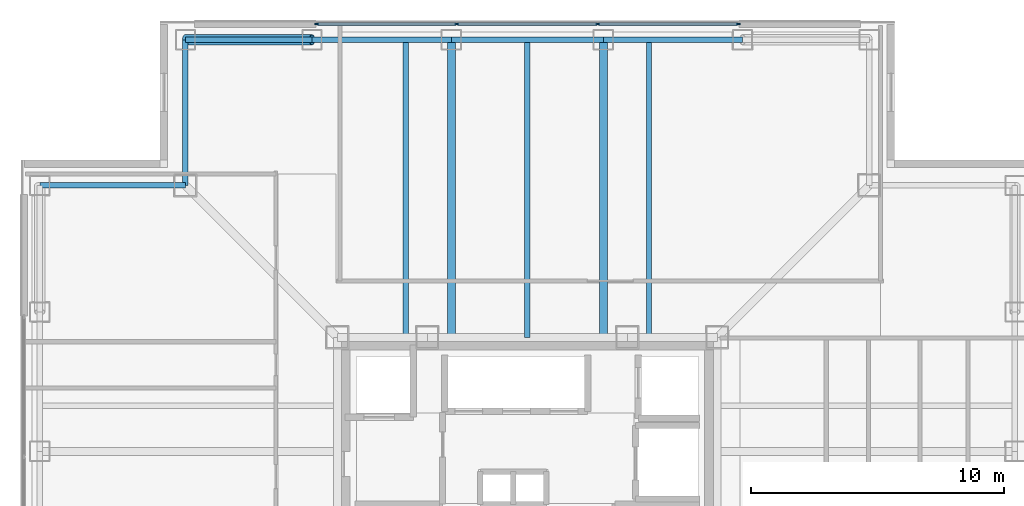
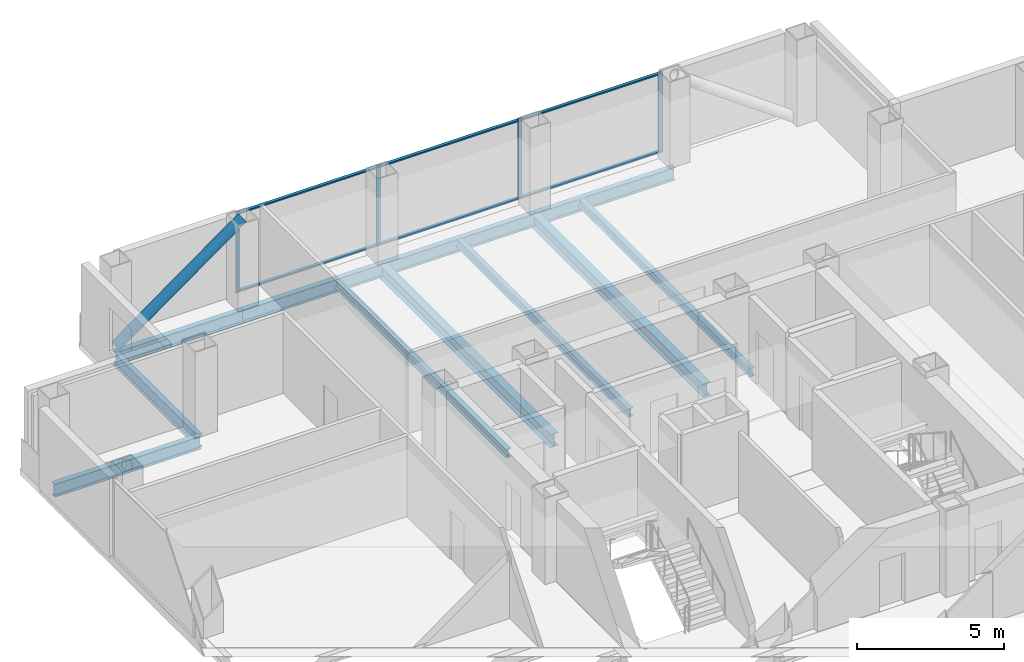
# One storey, part 7 of 16: 11 beams, 11 members, 1 element without a shape of its own.
"""IFC4 building model written with IfcOpenShell, lengths in metres."""

from ifc_helpers import new_model, si_unit, direction, frame, origin, origin_2d, place, context, subcontext, project, spatial, rectangle, hollow_circle, i_section, extrude, material, layer, layer_set, material_profile, profile_set, type_object, element, aggregate, save


model = new_model("IFC4")

# Units and contexts
model_context = context("Model", 3, precision=1e-05, world=origin(), true_north=direction((0.0, 1.0)))
body_context = subcontext(model_context, "Body", "Model", "MODEL_VIEW")
ifc_project = project(units=[si_unit("LENGTHUNIT", "METRE"), si_unit("AREAUNIT", "SQUARE_METRE"), si_unit("VOLUMEUNIT", "CUBIC_METRE"), si_unit("PLANEANGLEUNIT", "RADIAN"), si_unit("MASSUNIT", "GRAM", prefix="KILO")], contexts=[model_context])

# Site, building, storey
site_placement = place(None, origin())
site = spatial("IfcSite", under=ifc_project, at=site_placement, CompositionType="ELEMENT")
building_placement = place(site_placement, origin())
building = spatial("IfcBuilding", under=site, at=building_placement, Name="Trevonay Congress Spire", CompositionType="ELEMENT")
storey_placement = place(building_placement, frame((0.0, 0.0, 202.199951171875)))
storey = spatial("IfcBuildingStorey", under=building, at=storey_placement, Name="L52", CompositionType="ELEMENT", Elevation=202.199951171875)

# Beams
ifc_material_1 = material(Name="Steel ASTM A572 Grade 50", Category="steel")
ifc_material_profile_1 = material_profile(ifc_material_1, i_section(OverallWidth=0.31201171875, OverallDepth=0.54296875, WebThickness=0.0126953125, FlangeThickness=0.020263671875, FilletRadius=0.014892578125, at=origin_2d()), Name="W530x150")
ifc_profile_set_1 = profile_set([ifc_material_profile_1], Name="Steel ASTM A572 Grade 50")
beam_type_1 = type_object("IfcBeamType", Name="BM-GIRD-W530X150", PredefinedType="BEAM", material=ifc_profile_set_1)
for number, where, z_axis, x_axis, name in (
    (1, (-3.0, 7.5, -0.511474609375), (0.0, 1.0, 0.0), (-1.0, 0.0, 0.0), "L52 structural beam BM-L52-GN-M"),
    (2, (3.0, 7.5, -0.511474609375), (0.0, 1.0, 0.0), (-1.0, 0.0, 0.0), "L52 structural beam BM-L52-GN-P"),
):
    element("IfcBeam", number, at=place(storey_placement, frame(where, z_axis=z_axis, x_axis=x_axis)), inside=storey, type_object=beam_type_1, Name=name, PredefinedType="BEAM", context=body_context, shape_type="SweptSolid", body=[
        extrude(i_section(OverallWidth=0.31201171875, OverallDepth=0.54296875, WebThickness=0.0126953125, FlangeThickness=0.020263671875, FilletRadius=0.014892578125, at=origin_2d()), origin(), (0.0, 0.0, 1.0), 11.75),
    ])
ifc_material_profile_2 = material_profile(ifc_material_1, i_section(OverallWidth=0.2119140625, OverallDepth=0.5439453125, WebThickness=0.01318359375, FlangeThickness=0.021240234375, FilletRadius=0.014892578125, at=origin_2d()), Name="W530x123")
ifc_profile_set_2 = profile_set([ifc_material_profile_2], Name="Steel ASTM A572 Grade 50")
beam_type_2 = type_object("IfcBeamType", Name="BM-RING-W530X123", PredefinedType="BEAM", material=ifc_profile_set_2)
beam_1_placement = place(storey_placement, frame((-13.5, 19.25, -0.511962890625), z_axis=(1.0, 0.0, 0.0), x_axis=(0.0, 1.0, 0.0)))
element("IfcBeam", 3, at=beam_1_placement, inside=storey, type_object=beam_type_2, Name="L52 structural beam BM-L52-PN1", PredefinedType="BEAM", context=body_context, shape_type="SweptSolid", body=[
    extrude(i_section(OverallWidth=0.2119140625, OverallDepth=0.5439453125, WebThickness=0.01318359375, FlangeThickness=0.021240234375, FilletRadius=0.014892578125, at=origin_2d()), origin(), (0.0, 0.0, 1.0), 5.0),
])
beam_2_placement = place(storey_placement, frame((-8.5, 19.25, -0.511962890625), z_axis=(1.0, 0.0, 0.0), x_axis=(0.0, 1.0, 0.0)))
element("IfcBeam", 4, at=beam_2_placement, inside=storey, type_object=beam_type_2, Name="L52 structural beam BM-L52-PN2", PredefinedType="BEAM", context=body_context, shape_type="SweptSolid", body=[
    extrude(i_section(OverallWidth=0.2119140625, OverallDepth=0.5439453125, WebThickness=0.01318359375, FlangeThickness=0.021240234375, FilletRadius=0.014892578125, at=origin_2d()), origin(), (0.0, 0.0, 1.0), 5.5),
])
beam_3_placement = place(storey_placement, frame((-3.0, 19.25, -0.511962890625), z_axis=(1.0, 0.0, 0.0), x_axis=(0.0, 1.0, 0.0)))
element("IfcBeam", 5, at=beam_3_placement, inside=storey, type_object=beam_type_2, Name="L52 structural beam BM-L52-PN3", PredefinedType="BEAM", context=body_context, shape_type="SweptSolid", body=[
    extrude(i_section(OverallWidth=0.2119140625, OverallDepth=0.5439453125, WebThickness=0.01318359375, FlangeThickness=0.021240234375, FilletRadius=0.014892578125, at=origin_2d()), origin(), (0.0, 0.0, 1.0), 6.0),
])
beam_4_placement = place(storey_placement, frame((3.0, 19.25, -0.511962890625), z_axis=(1.0, 0.0, 0.0), x_axis=(0.0, 1.0, 0.0)))
element("IfcBeam", 6, at=beam_4_placement, inside=storey, type_object=beam_type_2, Name="L52 structural beam BM-L52-PN4", PredefinedType="BEAM", context=body_context, shape_type="SweptSolid", body=[
    extrude(i_section(OverallWidth=0.2119140625, OverallDepth=0.5439453125, WebThickness=0.01318359375, FlangeThickness=0.021240234375, FilletRadius=0.014892578125, at=origin_2d()), origin(), (0.0, 0.0, 1.0), 5.5),
])
for number, where, z_axis, x_axis, name in (
    (7, (-13.5, 19.25, -0.511962890625), (0.0, -1.0, 0.0), (1.0, 0.0, 0.0), "L52 structural beam BM-L52-N1NW"),
    (8, (-19.25, 13.5, -0.511962890625), (1.0, 0.0, 0.0), (0.0, 1.0, 0.0), "L52 structural beam BM-L52-N2NW"),
):
    element("IfcBeam", number, at=place(storey_placement, frame(where, z_axis=z_axis, x_axis=x_axis)), inside=storey, type_object=beam_type_2, Name=name, PredefinedType="BEAM", context=body_context, shape_type="SweptSolid", body=[
        extrude(i_section(OverallWidth=0.2119140625, OverallDepth=0.5439453125, WebThickness=0.01318359375, FlangeThickness=0.021240234375, FilletRadius=0.014892578125, at=origin_2d()), origin(), (0.0, 0.0, 1.0), 5.75),
    ])

# Curtain wall, members
ifc_material_2 = material(Name="Pale Anodised Aluminium EN AW-6063-T6", Category="aluminium")
ifc_layer = layer(ifc_material_2, 0.169921875, Name="Pale Anodised Aluminium EN AW-6063-T6")
ifc_layer_set = layer_set([ifc_layer], Name="Pale Anodised Aluminium EN AW-6063-T6")
curtain_wall_type = type_object("IfcCurtainWallType", Name="CW-SYS04-CORP-PALE-METAL", PredefinedType="NOTDEFINED", material=ifc_layer_set)
curtain_wall_placement = place(storey_placement, origin())
curtain_wall = element("IfcCurtainWall", 9, at=curtain_wall_placement, inside=storey, type_object=curtain_wall_type, Name="L52 N unitised curtain wall", PredefinedType="NOTDEFINED")
ifc_material_profile_3 = material_profile(ifc_material_2, rectangle(XDim=0.06005859375, YDim=0.159912109375, at=origin_2d()), Name="CW-MULLION-160-ALUMINIUM")
ifc_profile_set_3 = profile_set([ifc_material_profile_3], Name="Pale Anodised Aluminium EN AW-6063-T6")
member_type_1 = type_object("IfcMemberType", Name="CW-MULLION-160-ALUMINIUM", PredefinedType="MULLION", material=ifc_profile_set_3)
member_1_placement = place(storey_placement, frame((-8.320068359375, 19.8798828125, 0.0), z_axis=(0.0, 0.0, 1.0), x_axis=(0.0, 1.0, 0.0)))
member_1 = element("IfcMember", 10, at=member_1_placement, type_object=member_type_1, Name="CW04 mullion 1", PredefinedType="MULLION", context=body_context, shape_type="SweptSolid", body=[
    extrude(rectangle(XDim=0.06005859375, YDim=0.159912109375, at=origin_2d()), origin(), (0.0, 0.0, 1.0), 3.360107421875),
])
member_2_placement = place(storey_placement, frame((-2.783447265625, 19.8798828125, 0.0), z_axis=(0.0, 0.0, 1.0), x_axis=(0.0, 1.0, 0.0)))
member_2 = element("IfcMember", 11, at=member_2_placement, type_object=member_type_1, Name="CW04 mullion 2", PredefinedType="MULLION", context=body_context, shape_type="SweptSolid", body=[
    extrude(rectangle(XDim=0.06005859375, YDim=0.159912109375, at=origin_2d()), origin(), (0.0, 0.0, 1.0), 3.360107421875),
])
member_3_placement = place(storey_placement, frame((2.783447265625, 19.8798828125, 0.0), z_axis=(0.0, 0.0, 1.0), x_axis=(0.0, 1.0, 0.0)))
member_3 = element("IfcMember", 12, at=member_3_placement, type_object=member_type_1, Name="CW04 mullion 3", PredefinedType="MULLION", context=body_context, shape_type="SweptSolid", body=[
    extrude(rectangle(XDim=0.06005859375, YDim=0.159912109375, at=origin_2d()), origin(), (0.0, 0.0, 1.0), 3.360107421875),
])
member_4_placement = place(storey_placement, frame((8.320068359375, 19.8798828125, 0.0), z_axis=(0.0, 0.0, 1.0), x_axis=(0.0, 1.0, 0.0)))
member_4 = element("IfcMember", 13, at=member_4_placement, type_object=member_type_1, Name="CW04 mullion 4", PredefinedType="MULLION", context=body_context, shape_type="SweptSolid", body=[
    extrude(rectangle(XDim=0.06005859375, YDim=0.159912109375, at=origin_2d()), origin(), (0.0, 0.0, 1.0), 3.360107421875),
])
ifc_material_profile_4 = material_profile(ifc_material_2, rectangle(XDim=0.1201171875, YDim=0.06005859375, at=origin_2d()), Name="CW-TRANSOM-120-ALUMINIUM")
ifc_profile_set_4 = profile_set([ifc_material_profile_4], Name="Pale Anodised Aluminium EN AW-6063-T6")
member_type_2 = type_object("IfcMemberType", Name="CW-TRANSOM-120-ALUMINIUM", PredefinedType="USERDEFINED", material=ifc_profile_set_4)
member_5_placement = place(storey_placement, frame((-8.2900390625, 19.8798828125, 0.06005859375), z_axis=(1.0, 0.0, 0.0), x_axis=(0.0, 1.0, 0.0)))
member_5 = element("IfcMember", 14, at=member_5_placement, type_object=member_type_2, Name="CW04 transom 1.1", ObjectType="TRANSOM", PredefinedType="USERDEFINED", context=body_context, shape_type="SweptSolid", body=[
    extrude(rectangle(XDim=0.1201171875, YDim=0.06005859375, at=origin_2d()), origin(), (0.0, 0.0, 1.0), 5.476806640625),
])
member_6_placement = place(storey_placement, frame((-8.2900390625, 19.8798828125, 3.300048828125), z_axis=(1.0, 0.0, 0.0), x_axis=(0.0, 1.0, 0.0)))
member_6 = element("IfcMember", 15, at=member_6_placement, type_object=member_type_2, Name="CW04 transom 1.2", ObjectType="TRANSOM", PredefinedType="USERDEFINED", context=body_context, shape_type="SweptSolid", body=[
    extrude(rectangle(XDim=0.1201171875, YDim=0.06005859375, at=origin_2d()), origin(), (0.0, 0.0, 1.0), 5.476806640625),
])
member_7_placement = place(storey_placement, frame((-2.75341796875, 19.8798828125, 0.06005859375), z_axis=(1.0, 0.0, 0.0), x_axis=(0.0, 1.0, 0.0)))
member_7 = element("IfcMember", 16, at=member_7_placement, type_object=member_type_2, Name="CW04 transom 2.1", ObjectType="TRANSOM", PredefinedType="USERDEFINED", context=body_context, shape_type="SweptSolid", body=[
    extrude(rectangle(XDim=0.1201171875, YDim=0.06005859375, at=origin_2d()), origin(), (0.0, 0.0, 1.0), 5.5068359375),
])
member_8_placement = place(storey_placement, frame((-2.75341796875, 19.8798828125, 3.300048828125), z_axis=(1.0, 0.0, 0.0), x_axis=(0.0, 1.0, 0.0)))
member_8 = element("IfcMember", 17, at=member_8_placement, type_object=member_type_2, Name="CW04 transom 2.2", ObjectType="TRANSOM", PredefinedType="USERDEFINED", context=body_context, shape_type="SweptSolid", body=[
    extrude(rectangle(XDim=0.1201171875, YDim=0.06005859375, at=origin_2d()), origin(), (0.0, 0.0, 1.0), 5.5068359375),
])
member_9_placement = place(storey_placement, frame((2.813232421875, 19.8798828125, 0.06005859375), z_axis=(1.0, 0.0, 0.0), x_axis=(0.0, 1.0, 0.0)))
member_9 = element("IfcMember", 18, at=member_9_placement, type_object=member_type_2, Name="CW04 transom 3.1", ObjectType="TRANSOM", PredefinedType="USERDEFINED", context=body_context, shape_type="SweptSolid", body=[
    extrude(rectangle(XDim=0.1201171875, YDim=0.06005859375, at=origin_2d()), origin(), (0.0, 0.0, 1.0), 5.476806640625),
])
member_10_placement = place(storey_placement, frame((2.813232421875, 19.8798828125, 3.300048828125), z_axis=(1.0, 0.0, 0.0), x_axis=(0.0, 1.0, 0.0)))
member_10 = element("IfcMember", 19, at=member_10_placement, type_object=member_type_2, Name="CW04 transom 3.2", ObjectType="TRANSOM", PredefinedType="USERDEFINED", context=body_context, shape_type="SweptSolid", body=[
    extrude(rectangle(XDim=0.1201171875, YDim=0.06005859375, at=origin_2d()), origin(), (0.0, 0.0, 1.0), 5.476806640625),
])
aggregate(curtain_wall, [member_1, member_2, member_3, member_4, member_5, member_6, member_7, member_8, member_9, member_10])

# Beams
ifc_material_profile_5 = material_profile(ifc_material_1, i_section(OverallWidth=0.205078125, OverallDepth=0.35400390625, WebThickness=0.009521484375, FlangeThickness=0.016845703125, FilletRadius=0.011962890625, at=origin_2d()), Name="W360x79")
ifc_profile_set_5 = profile_set([ifc_material_profile_5], Name="Steel ASTM A572 Grade 50")
beam_type_3 = type_object("IfcBeamType", Name="JS-COMP-W360X79", PredefinedType="JOIST", material=ifc_profile_set_5)
for number, where, z_axis, x_axis, name in (
    (20, (-4.800048828125, 7.5, -0.4169921875), (0.0, 1.0, 0.0), (-1.0, 0.0, 0.0), "L52 structural beam JS-L52-NS-N1"),
    (21, (0.0, 7.5, -0.4169921875), (0.0, 1.0, 0.0), (-1.0, 0.0, 0.0), "L52 structural beam JS-L52-NS-N2"),
    (22, (4.800048828125, 7.5, -0.4169921875), (0.0, 1.0, 0.0), (-1.0, 0.0, 0.0), "L52 structural beam JS-L52-NS-N3"),
):
    element("IfcBeam", number, at=place(storey_placement, frame(where, z_axis=z_axis, x_axis=x_axis)), inside=storey, type_object=beam_type_3, Name=name, PredefinedType="JOIST", context=body_context, shape_type="SweptSolid", body=[
        extrude(i_section(OverallWidth=0.205078125, OverallDepth=0.35400390625, WebThickness=0.009521484375, FlangeThickness=0.016845703125, FilletRadius=0.011962890625, at=origin_2d()), origin(), (0.0, 0.0, 1.0), 11.75),
    ])

# Member
ifc_material_3 = material(Name="Steel ASTM A500 Grade C", Category="steel")
ifc_material_profile_6 = material_profile(ifc_material_3, hollow_circle(Radius=0.203125, WallThickness=0.02001953125, at=origin_2d()), Name="CHS 406.4x20")
ifc_profile_set_6 = profile_set([ifc_material_profile_6], Name="Steel ASTM A500 Grade C")
member_type_3 = type_object("IfcMemberType", Name="MBR-TUBE-CHS406", PredefinedType="BRACE", material=ifc_profile_set_6)
member_11_placement = place(storey_placement, frame((-13.5, 19.25, -0.050048828125), z_axis=(0.811526825515, 0.0, 0.584315164504), x_axis=(0.0, 1.0, 0.0)))
element("IfcMember", 23, at=member_11_placement, inside=storey, type_object=member_type_3, Name="L52 perimeter braced-tube diagonal N0", PredefinedType="BRACE", context=body_context, shape_type="SweptSolid", body=[
    extrude(hollow_circle(Radius=0.203125, WallThickness=0.02001953125, at=origin_2d()), origin(), (0.0, 0.0, 1.0), 6.1611328125),
])

save(model, "model.ifc")
